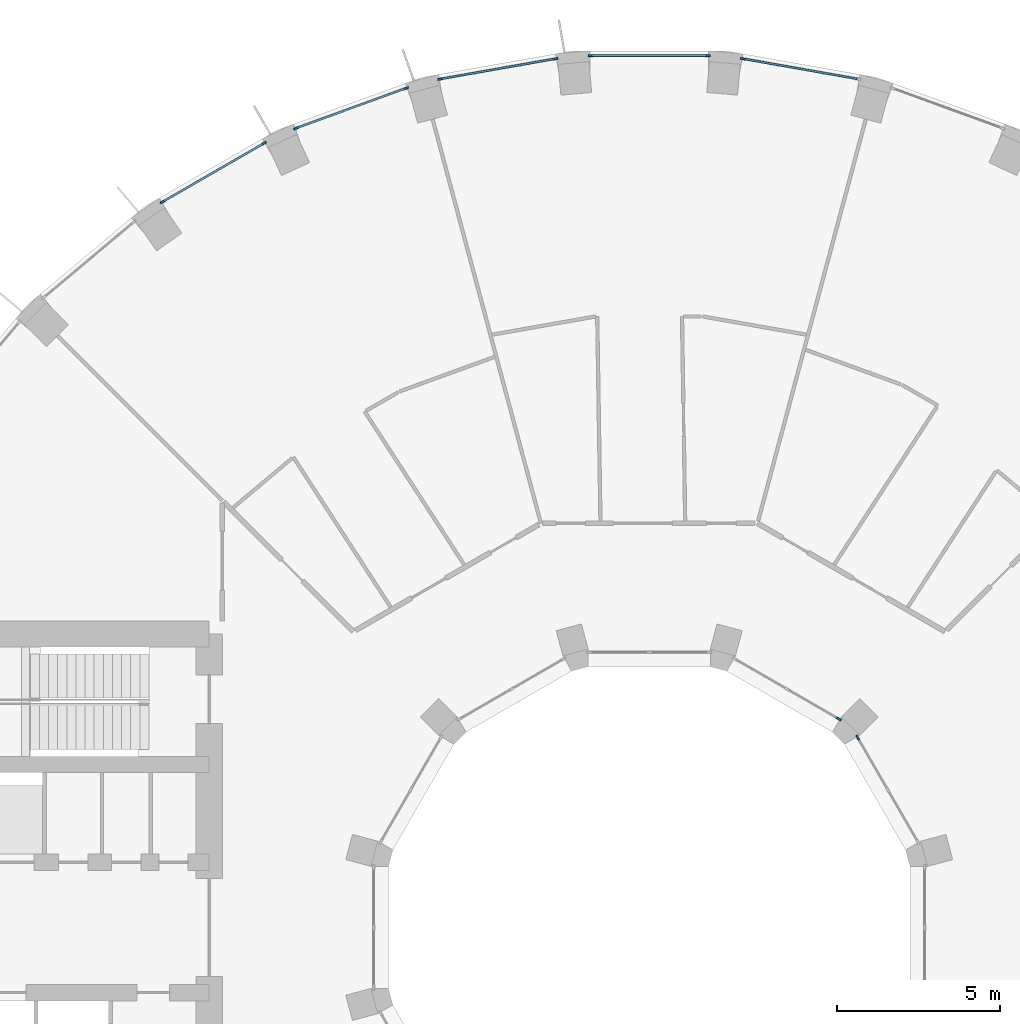
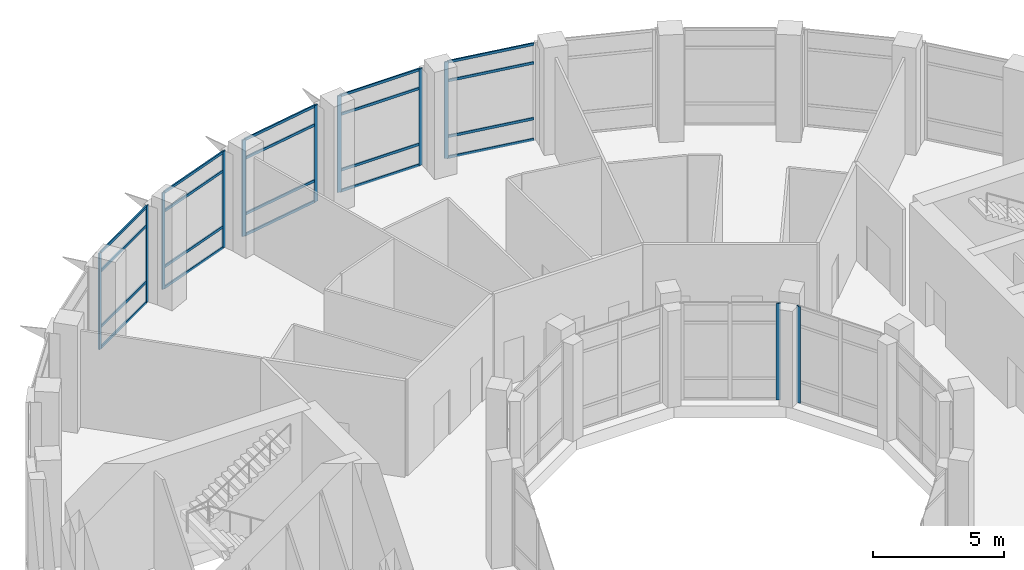
# One storey, part 7 of 18: 31 members, 7 elements without a shape of their own.
"""IFC4 building model written with IfcOpenShell, lengths in metres."""

from ifc_helpers import new_model, si_unit, direction, frame, origin, origin_2d, place, context, subcontext, project, spatial, rectangle, extrude, material, layer, layer_set, material_profile, profile_set, type_object, element, aggregate, save


model = new_model("IFC4")

# Units and contexts
model_context = context("Model", 3, precision=1e-05, world=origin(), true_north=direction((0.0, 1.0)))
body_context = subcontext(model_context, "Body", "Model", "MODEL_VIEW")
ifc_project = project(units=[si_unit("LENGTHUNIT", "METRE"), si_unit("AREAUNIT", "SQUARE_METRE"), si_unit("VOLUMEUNIT", "CUBIC_METRE"), si_unit("PLANEANGLEUNIT", "RADIAN"), si_unit("MASSUNIT", "GRAM", prefix="KILO")], contexts=[model_context])

# Site, building, storey
site_placement = place(None, origin())
site = spatial("IfcSite", under=ifc_project, at=site_placement, CompositionType="ELEMENT")
building_placement = place(site_placement, origin())
building = spatial("IfcBuilding", under=site, at=building_placement, Name="Saqina Gate Tower", CompositionType="ELEMENT")
storey_placement = place(building_placement, frame((0.0, 0.0, 86.89990234375)))
storey = spatial("IfcBuildingStorey", under=building, at=storey_placement, Name="L24", CompositionType="ELEMENT", Elevation=86.89990234375)

# Curtain wall, member
ifc_material_1 = material(Name="Aluminium glazing", Category="aluminium")
ifc_layer_1 = layer(ifc_material_1, 0.159912109375)
ifc_layer_set_1 = layer_set([ifc_layer_1], Name="CWT-2")
curtain_wall_type_1 = type_object("IfcCurtainWallType", Name="CWT-2", PredefinedType="NOTDEFINED", material=ifc_layer_set_1)
curtain_wall_1_placement = place(storey_placement, origin())
curtain_wall_1 = element("IfcCurtainWall", 1, at=curtain_wall_1_placement, inside=storey, type_object=curtain_wall_type_1, Name="Sky lounge glazing facet 8", PredefinedType="NOTDEFINED")
ifc_material_2 = material(Name="Aluminium", Category="aluminium")
ifc_material_profile_1 = material_profile(ifc_material_2, rectangle(XDim=0.06005859375, YDim=0.159912109375, at=origin_2d()), Name="Aluminium 60x160")
ifc_profile_set_1 = profile_set([ifc_material_profile_1], Name="Aluminium")
member_type_1 = type_object("IfcMemberType", Name="CWT-2M", PredefinedType="MULLION", material=ifc_profile_set_1)
member_1_placement = place(storey_placement, frame((2.8779296875, 26.65234375, 0.0), z_axis=(0.0, 0.0, 1.0), x_axis=(-0.17363832834, -0.984809489664, 0.0)))
member_1 = element("IfcMember", 2, at=member_1_placement, type_object=member_type_1, Name="CW2-08 mullion 2", PredefinedType="MULLION", context=body_context, shape_type="SweptSolid", body=[
    extrude(rectangle(XDim=0.06005859375, YDim=0.159912109375, at=origin_2d()), origin(), (0.0, 0.0, 1.0), 4.5),
])

# Curtain wall, members
curtain_wall_2_placement = place(storey_placement, origin())
curtain_wall_2 = element("IfcCurtainWall", 3, at=curtain_wall_2_placement, inside=storey, type_object=curtain_wall_type_1, Name="Sky lounge glazing facet 9", PredefinedType="NOTDEFINED")
member_2_placement = place(storey_placement, frame((1.7939453125, 26.747314453125, 0.0), z_axis=(0.0, 0.0, 1.0), x_axis=(0.0, -1.0, 0.0)))
member_2 = element("IfcMember", 4, at=member_2_placement, type_object=member_type_1, Name="CW2-09 mullion 1", PredefinedType="MULLION", context=body_context, shape_type="SweptSolid", body=[
    extrude(rectangle(XDim=0.06005859375, YDim=0.159912109375, at=origin_2d()), origin(), (0.0, 0.0, 1.0), 4.5),
])
member_3_placement = place(storey_placement, frame((-1.7939453125, 26.747314453125, 0.0), z_axis=(0.0, 0.0, 1.0), x_axis=(0.0, -1.0, 0.0)))
member_3 = element("IfcMember", 5, at=member_3_placement, type_object=member_type_1, Name="CW2-09 mullion 2", PredefinedType="MULLION", context=body_context, shape_type="SweptSolid", body=[
    extrude(rectangle(XDim=0.06005859375, YDim=0.159912109375, at=origin_2d()), origin(), (0.0, 0.0, 1.0), 4.5),
])

curtain_wall_3_placement = place(storey_placement, origin())
curtain_wall_3 = element("IfcCurtainWall", 6, at=curtain_wall_3_placement, inside=storey, type_object=curtain_wall_type_1, Name="Sky lounge glazing facet 10", PredefinedType="NOTDEFINED")
member_4_placement = place(storey_placement, frame((-2.8779296875, 26.65234375, 0.0), z_axis=(0.0, 0.0, 1.0), x_axis=(0.17363832834, -0.984809489664, 0.0)))
member_4 = element("IfcMember", 7, at=member_4_placement, type_object=member_type_1, Name="CW2-10 mullion 1", PredefinedType="MULLION", context=body_context, shape_type="SweptSolid", body=[
    extrude(rectangle(XDim=0.06005859375, YDim=0.159912109375, at=origin_2d()), origin(), (0.0, 0.0, 1.0), 4.5),
])
member_5_placement = place(storey_placement, frame((-6.411376953125, 26.029296875, 0.0), z_axis=(0.0, 0.0, 1.0), x_axis=(0.17363832834, -0.984809489664, 0.0)))
member_5 = element("IfcMember", 8, at=member_5_placement, type_object=member_type_1, Name="CW2-10 mullion 2", PredefinedType="MULLION", context=body_context, shape_type="SweptSolid", body=[
    extrude(rectangle(XDim=0.06005859375, YDim=0.159912109375, at=origin_2d()), origin(), (0.0, 0.0, 1.0), 4.5),
])

curtain_wall_4_placement = place(storey_placement, origin())
curtain_wall_4 = element("IfcCurtainWall", 9, at=curtain_wall_4_placement, inside=storey, type_object=curtain_wall_type_1, Name="Sky lounge glazing facet 11", PredefinedType="NOTDEFINED")
member_6_placement = place(storey_placement, frame((-7.46240234375, 25.747802734375, 0.0), z_axis=(0.0, 0.0, 1.0), x_axis=(0.342015987197, -0.939694133483, 0.0)))
member_6 = element("IfcMember", 10, at=member_6_placement, type_object=member_type_1, Name="CW2-11 mullion 1", PredefinedType="MULLION", context=body_context, shape_type="SweptSolid", body=[
    extrude(rectangle(XDim=0.06005859375, YDim=0.159912109375, at=origin_2d()), origin(), (0.0, 0.0, 1.0), 4.5),
])
member_7_placement = place(storey_placement, frame((-10.833740234375, 24.520751953125, 0.0), z_axis=(0.0, 0.0, 1.0), x_axis=(0.342015987197, -0.939694133483, 0.0)))
member_7 = element("IfcMember", 11, at=member_7_placement, type_object=member_type_1, Name="CW2-11 mullion 2", PredefinedType="MULLION", context=body_context, shape_type="SweptSolid", body=[
    extrude(rectangle(XDim=0.06005859375, YDim=0.159912109375, at=origin_2d()), origin(), (0.0, 0.0, 1.0), 4.5),
])

curtain_wall_5_placement = place(storey_placement, origin())
curtain_wall_5 = element("IfcCurtainWall", 12, at=curtain_wall_5_placement, inside=storey, type_object=curtain_wall_type_1, Name="Sky lounge glazing facet 12", PredefinedType="NOTDEFINED")
member_8_placement = place(storey_placement, frame((-11.820068359375, 24.060791015625, 0.0), z_axis=(0.0, 0.0, 1.0), x_axis=(0.499998512381, -0.86602626266, 0.0)))
member_8 = element("IfcMember", 13, at=member_8_placement, type_object=member_type_1, Name="CW2-12 mullion 1", PredefinedType="MULLION", context=body_context, shape_type="SweptSolid", body=[
    extrude(rectangle(XDim=0.06005859375, YDim=0.159912109375, at=origin_2d()), origin(), (0.0, 0.0, 1.0), 4.5),
])
member_9_placement = place(storey_placement, frame((-14.92724609375, 22.266845703125, 0.0), z_axis=(0.0, 0.0, 1.0), x_axis=(0.499998512381, -0.86602626266, 0.0)))
member_9 = element("IfcMember", 14, at=member_9_placement, type_object=member_type_1, Name="CW2-12 mullion 2", PredefinedType="MULLION", context=body_context, shape_type="SweptSolid", body=[
    extrude(rectangle(XDim=0.06005859375, YDim=0.159912109375, at=origin_2d()), origin(), (0.0, 0.0, 1.0), 4.5),
])

# Member
ifc_material_3 = material(Name="Aluminium", Category="aluminium")
ifc_material_profile_2 = material_profile(ifc_material_3, rectangle(XDim=0.06005859375, YDim=0.1201171875, at=origin_2d()), Name="Aluminium 60x120")
ifc_profile_set_2 = profile_set([ifc_material_profile_2], Name="Aluminium")
member_type_2 = type_object("IfcMemberType", Name="CWT-2T", PredefinedType="USERDEFINED", material=ifc_profile_set_2)
member_10_placement = place(storey_placement, frame((6.381591796875, 26.03466796875, 0.030029296875), z_axis=(-0.984809326266, 0.173639255067, 0.0), x_axis=(-0.173639255067, -0.984809326266, 0.0)))
member_10 = element("IfcMember", 15, at=member_10_placement, type_object=member_type_2, Name="CW2-08 transom 1.1", ObjectType="TRANSOM", PredefinedType="USERDEFINED", context=body_context, shape_type="SweptSolid", body=[
    extrude(rectangle(XDim=0.06005859375, YDim=0.1201171875, at=origin_2d()), origin(), (0.0, 0.0, 1.0), 3.527587890625),
])

member_11_placement = place(storey_placement, frame((6.381591796875, 26.03466796875, 1.0), z_axis=(-0.984809326266, 0.173639255067, 0.0), x_axis=(-0.173639255067, -0.984809326266, 0.0)))
member_11 = element("IfcMember", 16, at=member_11_placement, type_object=member_type_2, Name="CW2-08 transom 1.2", ObjectType="TRANSOM", PredefinedType="USERDEFINED", context=body_context, shape_type="SweptSolid", body=[
    extrude(rectangle(XDim=0.06005859375, YDim=0.1201171875, at=origin_2d()), origin(), (0.0, 0.0, 1.0), 3.527587890625),
])

member_12_placement = place(storey_placement, frame((6.381591796875, 26.03466796875, 3.60009765625), z_axis=(-0.984809326266, 0.173639255067, 0.0), x_axis=(-0.173639255067, -0.984809326266, 0.0)))
member_12 = element("IfcMember", 17, at=member_12_placement, type_object=member_type_2, Name="CW2-08 transom 1.3", ObjectType="TRANSOM", PredefinedType="USERDEFINED", context=body_context, shape_type="SweptSolid", body=[
    extrude(rectangle(XDim=0.06005859375, YDim=0.1201171875, at=origin_2d()), origin(), (0.0, 0.0, 1.0), 3.527587890625),
])

member_13_placement = place(storey_placement, frame((6.381591796875, 26.03466796875, 4.47021484375), z_axis=(-0.984809326266, 0.173639255067, 0.0), x_axis=(-0.173639255067, -0.984809326266, 0.0)))
member_13 = element("IfcMember", 18, at=member_13_placement, type_object=member_type_2, Name="CW2-08 transom 1.4", ObjectType="TRANSOM", PredefinedType="USERDEFINED", context=body_context, shape_type="SweptSolid", body=[
    extrude(rectangle(XDim=0.06005859375, YDim=0.1201171875, at=origin_2d()), origin(), (0.0, 0.0, 1.0), 3.527587890625),
])

aggregate(curtain_wall_1, [member_1, member_10, member_11, member_12, member_13])

member_14_placement = place(storey_placement, frame((1.763916015625, 26.747314453125, 0.030029296875), z_axis=(-1.0, 0.0, 0.0), x_axis=(0.0, -1.0, 0.0)))
member_14 = element("IfcMember", 19, at=member_14_placement, type_object=member_type_2, Name="CW2-09 transom 1.1", ObjectType="TRANSOM", PredefinedType="USERDEFINED", context=body_context, shape_type="SweptSolid", body=[
    extrude(rectangle(XDim=0.06005859375, YDim=0.1201171875, at=origin_2d()), origin(), (0.0, 0.0, 1.0), 3.52783203125),
])

member_15_placement = place(storey_placement, frame((1.763916015625, 26.747314453125, 1.0), z_axis=(-1.0, 0.0, 0.0), x_axis=(0.0, -1.0, 0.0)))
member_15 = element("IfcMember", 20, at=member_15_placement, type_object=member_type_2, Name="CW2-09 transom 1.2", ObjectType="TRANSOM", PredefinedType="USERDEFINED", context=body_context, shape_type="SweptSolid", body=[
    extrude(rectangle(XDim=0.06005859375, YDim=0.1201171875, at=origin_2d()), origin(), (0.0, 0.0, 1.0), 3.52783203125),
])

member_16_placement = place(storey_placement, frame((1.763916015625, 26.747314453125, 3.60009765625), z_axis=(-1.0, 0.0, 0.0), x_axis=(0.0, -1.0, 0.0)))
member_16 = element("IfcMember", 21, at=member_16_placement, type_object=member_type_2, Name="CW2-09 transom 1.3", ObjectType="TRANSOM", PredefinedType="USERDEFINED", context=body_context, shape_type="SweptSolid", body=[
    extrude(rectangle(XDim=0.06005859375, YDim=0.1201171875, at=origin_2d()), origin(), (0.0, 0.0, 1.0), 3.52783203125),
])

member_17_placement = place(storey_placement, frame((1.763916015625, 26.747314453125, 4.47021484375), z_axis=(-1.0, 0.0, 0.0), x_axis=(0.0, -1.0, 0.0)))
member_17 = element("IfcMember", 22, at=member_17_placement, type_object=member_type_2, Name="CW2-09 transom 1.4", ObjectType="TRANSOM", PredefinedType="USERDEFINED", context=body_context, shape_type="SweptSolid", body=[
    extrude(rectangle(XDim=0.06005859375, YDim=0.1201171875, at=origin_2d()), origin(), (0.0, 0.0, 1.0), 3.52783203125),
])

aggregate(curtain_wall_2, [member_2, member_3, member_14, member_15, member_16, member_17])

member_18_placement = place(storey_placement, frame((-2.907470703125, 26.647216796875, 0.030029296875), z_axis=(-0.984809326266, -0.173639255067, 0.0), x_axis=(0.173639255067, -0.984809326266, 0.0)))
member_18 = element("IfcMember", 23, at=member_18_placement, type_object=member_type_2, Name="CW2-10 transom 1.1", ObjectType="TRANSOM", PredefinedType="USERDEFINED", context=body_context, shape_type="SweptSolid", body=[
    extrude(rectangle(XDim=0.06005859375, YDim=0.1201171875, at=origin_2d()), origin(), (0.0, 0.0, 1.0), 3.527587890625),
])

member_19_placement = place(storey_placement, frame((-2.907470703125, 26.647216796875, 1.0), z_axis=(-0.984809326266, -0.173639255067, 0.0), x_axis=(0.173639255067, -0.984809326266, 0.0)))
member_19 = element("IfcMember", 24, at=member_19_placement, type_object=member_type_2, Name="CW2-10 transom 1.2", ObjectType="TRANSOM", PredefinedType="USERDEFINED", context=body_context, shape_type="SweptSolid", body=[
    extrude(rectangle(XDim=0.06005859375, YDim=0.1201171875, at=origin_2d()), origin(), (0.0, 0.0, 1.0), 3.527587890625),
])

member_20_placement = place(storey_placement, frame((-2.907470703125, 26.647216796875, 3.60009765625), z_axis=(-0.984809326266, -0.173639255067, 0.0), x_axis=(0.173639255067, -0.984809326266, 0.0)))
member_20 = element("IfcMember", 25, at=member_20_placement, type_object=member_type_2, Name="CW2-10 transom 1.3", ObjectType="TRANSOM", PredefinedType="USERDEFINED", context=body_context, shape_type="SweptSolid", body=[
    extrude(rectangle(XDim=0.06005859375, YDim=0.1201171875, at=origin_2d()), origin(), (0.0, 0.0, 1.0), 3.527587890625),
])

member_21_placement = place(storey_placement, frame((-2.907470703125, 26.647216796875, 4.47021484375), z_axis=(-0.984809326266, -0.173639255067, 0.0), x_axis=(0.173639255067, -0.984809326266, 0.0)))
member_21 = element("IfcMember", 26, at=member_21_placement, type_object=member_type_2, Name="CW2-10 transom 1.4", ObjectType="TRANSOM", PredefinedType="USERDEFINED", context=body_context, shape_type="SweptSolid", body=[
    extrude(rectangle(XDim=0.06005859375, YDim=0.1201171875, at=origin_2d()), origin(), (0.0, 0.0, 1.0), 3.527587890625),
])

aggregate(curtain_wall_3, [member_4, member_5, member_18, member_19, member_20, member_21])

member_22_placement = place(storey_placement, frame((-7.490478515625, 25.737548828125, 0.030029296875), z_axis=(-0.939700445258, -0.341998645001, 0.0), x_axis=(0.341998645001, -0.939700445258, 0.0)))
member_22 = element("IfcMember", 27, at=member_22_placement, type_object=member_type_2, Name="CW2-11 transom 1.1", ObjectType="TRANSOM", PredefinedType="USERDEFINED", context=body_context, shape_type="SweptSolid", body=[
    extrude(rectangle(XDim=0.06005859375, YDim=0.1201171875, at=origin_2d()), origin(), (0.0, 0.0, 1.0), 3.52783203125),
])

member_23_placement = place(storey_placement, frame((-7.490478515625, 25.737548828125, 1.0), z_axis=(-0.939700445258, -0.341998645001, 0.0), x_axis=(0.341998645001, -0.939700445258, 0.0)))
member_23 = element("IfcMember", 28, at=member_23_placement, type_object=member_type_2, Name="CW2-11 transom 1.2", ObjectType="TRANSOM", PredefinedType="USERDEFINED", context=body_context, shape_type="SweptSolid", body=[
    extrude(rectangle(XDim=0.06005859375, YDim=0.1201171875, at=origin_2d()), origin(), (0.0, 0.0, 1.0), 3.52783203125),
])

member_24_placement = place(storey_placement, frame((-7.490478515625, 25.737548828125, 3.60009765625), z_axis=(-0.939700445258, -0.341998645001, 0.0), x_axis=(0.341998645001, -0.939700445258, 0.0)))
member_24 = element("IfcMember", 29, at=member_24_placement, type_object=member_type_2, Name="CW2-11 transom 1.3", ObjectType="TRANSOM", PredefinedType="USERDEFINED", context=body_context, shape_type="SweptSolid", body=[
    extrude(rectangle(XDim=0.06005859375, YDim=0.1201171875, at=origin_2d()), origin(), (0.0, 0.0, 1.0), 3.52783203125),
])

member_25_placement = place(storey_placement, frame((-7.490478515625, 25.737548828125, 4.47021484375), z_axis=(-0.939700445258, -0.341998645001, 0.0), x_axis=(0.341998645001, -0.939700445258, 0.0)))
member_25 = element("IfcMember", 30, at=member_25_placement, type_object=member_type_2, Name="CW2-11 transom 1.4", ObjectType="TRANSOM", PredefinedType="USERDEFINED", context=body_context, shape_type="SweptSolid", body=[
    extrude(rectangle(XDim=0.06005859375, YDim=0.1201171875, at=origin_2d()), origin(), (0.0, 0.0, 1.0), 3.52783203125),
])

aggregate(curtain_wall_4, [member_6, member_7, member_22, member_23, member_24, member_25])

member_26_placement = place(storey_placement, frame((-11.845947265625, 24.0458984375, 0.030029296875), z_axis=(-0.866024243143, -0.500002010285, 0.0), x_axis=(0.500002010285, -0.866024243143, 0.0)))
member_26 = element("IfcMember", 31, at=member_26_placement, type_object=member_type_2, Name="CW2-12 transom 1.1", ObjectType="TRANSOM", PredefinedType="USERDEFINED", context=body_context, shape_type="SweptSolid", body=[
    extrude(rectangle(XDim=0.06005859375, YDim=0.1201171875, at=origin_2d()), origin(), (0.0, 0.0, 1.0), 3.52783203125),
])

member_27_placement = place(storey_placement, frame((-11.845947265625, 24.0458984375, 1.0), z_axis=(-0.866024243143, -0.500002010285, 0.0), x_axis=(0.500002010285, -0.866024243143, 0.0)))
member_27 = element("IfcMember", 32, at=member_27_placement, type_object=member_type_2, Name="CW2-12 transom 1.2", ObjectType="TRANSOM", PredefinedType="USERDEFINED", context=body_context, shape_type="SweptSolid", body=[
    extrude(rectangle(XDim=0.06005859375, YDim=0.1201171875, at=origin_2d()), origin(), (0.0, 0.0, 1.0), 3.52783203125),
])

member_28_placement = place(storey_placement, frame((-11.845947265625, 24.0458984375, 3.60009765625), z_axis=(-0.866024243143, -0.500002010285, 0.0), x_axis=(0.500002010285, -0.866024243143, 0.0)))
member_28 = element("IfcMember", 33, at=member_28_placement, type_object=member_type_2, Name="CW2-12 transom 1.3", ObjectType="TRANSOM", PredefinedType="USERDEFINED", context=body_context, shape_type="SweptSolid", body=[
    extrude(rectangle(XDim=0.06005859375, YDim=0.1201171875, at=origin_2d()), origin(), (0.0, 0.0, 1.0), 3.52783203125),
])

member_29_placement = place(storey_placement, frame((-11.845947265625, 24.0458984375, 4.47021484375), z_axis=(-0.866024243143, -0.500002010285, 0.0), x_axis=(0.500002010285, -0.866024243143, 0.0)))
member_29 = element("IfcMember", 34, at=member_29_placement, type_object=member_type_2, Name="CW2-12 transom 1.4", ObjectType="TRANSOM", PredefinedType="USERDEFINED", context=body_context, shape_type="SweptSolid", body=[
    extrude(rectangle(XDim=0.06005859375, YDim=0.1201171875, at=origin_2d()), origin(), (0.0, 0.0, 1.0), 3.52783203125),
])

aggregate(curtain_wall_5, [member_8, member_9, member_26, member_27, member_28, member_29])

# Curtain wall, member
ifc_material_4 = material(Name="Aluminium glazing", Category="aluminium")
ifc_layer_2 = layer(ifc_material_4, 0.159912109375)
ifc_layer_set_2 = layer_set([ifc_layer_2], Name="CWT-3")
curtain_wall_type_2 = type_object("IfcCurtainWallType", Name="CWT-3", PredefinedType="NOTDEFINED", material=ifc_layer_set_2)
curtain_wall_6_placement = place(storey_placement, origin())
curtain_wall_6 = element("IfcCurtainWall", 35, at=curtain_wall_6_placement, inside=storey, type_object=curtain_wall_type_2, Name="Sky lounge well glazing L24 facet 1", PredefinedType="NOTDEFINED")
ifc_material_5 = material(Name="Aluminium", Category="aluminium")
ifc_material_profile_3 = material_profile(ifc_material_5, rectangle(XDim=0.06005859375, YDim=0.159912109375, at=origin_2d()), Name="Aluminium 60x160")
ifc_profile_set_3 = profile_set([ifc_material_profile_3], Name="Aluminium")
member_type_3 = type_object("IfcMemberType", Name="CWT-3M", PredefinedType="MULLION", material=ifc_profile_set_3)
member_30_placement = place(storey_placement, frame((6.39599609375, 5.82177734375, 0.0), z_axis=(0.0, 0.0, 1.0), x_axis=(-0.866029166445, -0.499993482823, 0.0)))
member_30 = element("IfcMember", 36, at=member_30_placement, type_object=member_type_3, Name="CW3-01 mullion 3", PredefinedType="MULLION", context=body_context, shape_type="SweptSolid", body=[
    extrude(rectangle(XDim=0.06005859375, YDim=0.159912109375, at=origin_2d()), origin(), (0.0, 0.0, 1.0), 4.5),
])
aggregate(curtain_wall_6, [member_30])

curtain_wall_7_placement = place(storey_placement, origin())
curtain_wall_7 = element("IfcCurtainWall", 37, at=curtain_wall_7_placement, inside=storey, type_object=curtain_wall_type_2, Name="Sky lounge well glazing L24 facet 2", PredefinedType="NOTDEFINED")
member_31_placement = place(storey_placement, frame((5.82177734375, 6.39599609375, 0.0), z_axis=(0.0, 0.0, 1.0), x_axis=(-0.499993482823, -0.866029166445, 0.0)))
member_31 = element("IfcMember", 38, at=member_31_placement, type_object=member_type_3, Name="CW3-02 mullion 1", PredefinedType="MULLION", context=body_context, shape_type="SweptSolid", body=[
    extrude(rectangle(XDim=0.06005859375, YDim=0.159912109375, at=origin_2d()), origin(), (0.0, 0.0, 1.0), 4.5),
])
aggregate(curtain_wall_7, [member_31])

save(model, "model.ifc")
